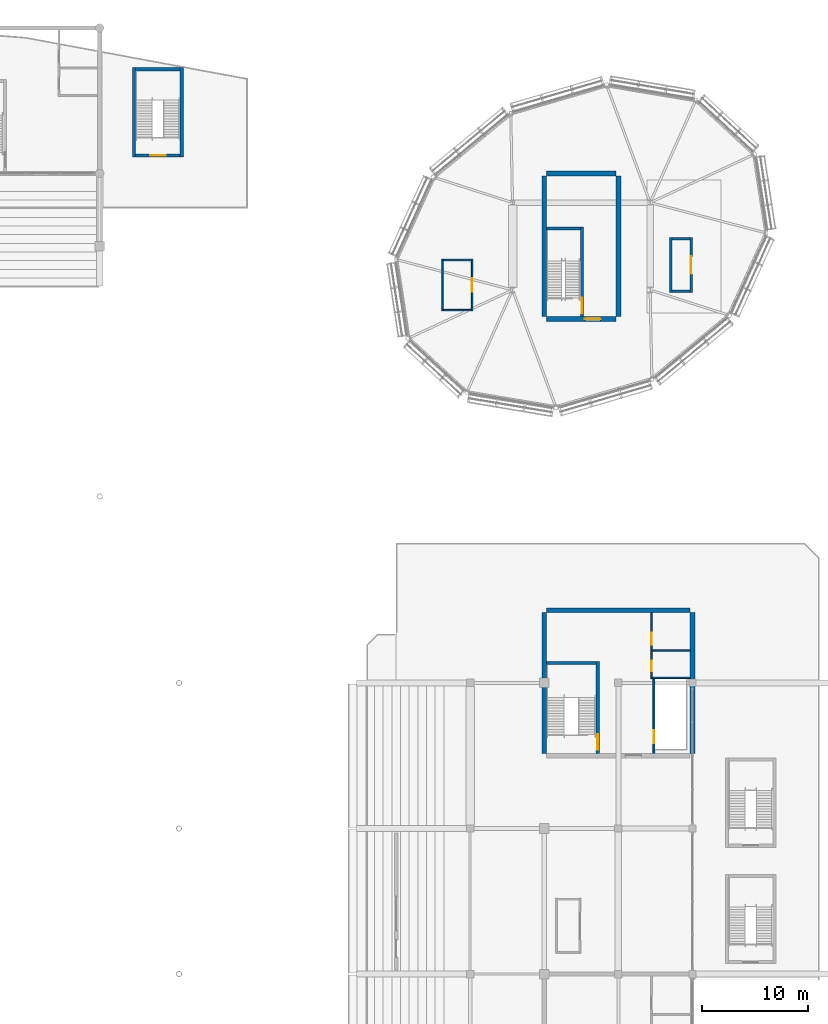
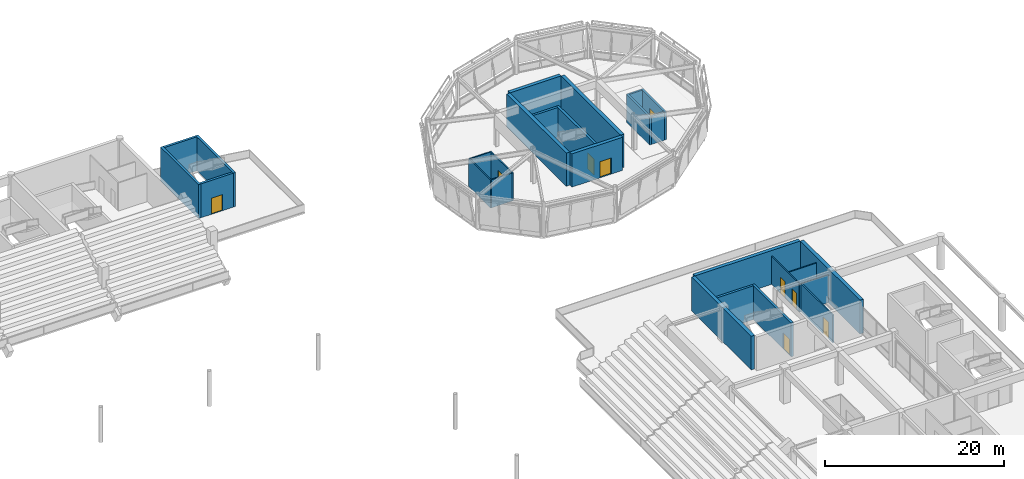
# One storey, part 77 of 94: 27 walls, 9 doors, 9 openings.
"""IFC4 building model written with IfcOpenShell, lengths in metres."""

from ifc_helpers import new_model, si_unit, direction, frame, frame_2d, origin, place, context, subcontext, project, spatial, rectangle, extrude, material, layer, layer_set, type_object, element, fill, save


model = new_model("IFC4")

# Units and contexts
model_context = context("Model", 3, precision=1e-05, world=origin(), true_north=direction((0.0, 1.0)))
body_context = subcontext(model_context, "Body", "Model", "MODEL_VIEW")
ifc_project = project(units=[si_unit("LENGTHUNIT", "METRE"), si_unit("AREAUNIT", "SQUARE_METRE"), si_unit("VOLUMEUNIT", "CUBIC_METRE"), si_unit("PLANEANGLEUNIT", "RADIAN"), si_unit("MASSUNIT", "GRAM", prefix="KILO")], contexts=[model_context])

# Site, building, storey
site_placement = place(None, origin())
site = spatial("IfcSite", under=ifc_project, at=site_placement, CompositionType="ELEMENT")
building_placement = place(site_placement, origin())
building = spatial("IfcBuilding", under=site, at=building_placement, Name="Linyun Crest Stadium", CompositionType="ELEMENT")
storey_placement = place(building_placement, frame((0.0, 0.0, 16.199951171875)))
storey = spatial("IfcBuildingStorey", under=building, at=storey_placement, Name="L04", CompositionType="ELEMENT", Elevation=16.199951171875)

# Walls
ifc_material_1 = material(Name="Concrete C50", Category="concrete")
ifc_layer_1 = layer(ifc_material_1, 0.449951171875)
ifc_layer_set_1 = layer_set([ifc_layer_1], Name="Concrete C50")
wall_type_1 = type_object("IfcWallType", Name="CW03", PredefinedType="SHEAR", material=ifc_layer_set_1)
for number, where, z_axis, x_axis, name in (
    (1, (70.0, 36.72509765625, 0.0), (0.0, 0.0, 1.0), (0.0, 1.0, 0.0), "Core shear wall CW03 CORE-E3 L04.1"),
    (2, (84.0, 36.72509765625, 0.0), (0.0, 0.0, 1.0), (0.0, 1.0, 0.0), "Core shear wall CW03 CORE-E3 L04.2"),
):
    element("IfcWall", number, at=place(storey_placement, frame(where, z_axis=z_axis, x_axis=x_axis)), inside=storey, type_object=wall_type_1, Name=name, PredefinedType="SHEAR", context=body_context, shape_type="SweptSolid", body=[
        extrude(rectangle(XDim=13.2998046875, YDim=0.449951171875, at=frame_2d((6.64990234375, 0.0))), origin(), (0.0, 0.0, 1.0), 4.60009765625),
    ])
wall_1_placement = place(storey_placement, frame((70.22509765625, 50.25, 0.0), z_axis=(0.0, 0.0, 1.0), x_axis=(1.0, 0.0, 0.0)))
element("IfcWall", 3, at=wall_1_placement, inside=storey, type_object=wall_type_1, Name="Core shear wall CW03 CORE-E3 L04.4", PredefinedType="SHEAR", context=body_context, shape_type="SweptSolid", body=[
    extrude(rectangle(XDim=13.5498046875, YDim=0.449951171875, at=frame_2d((6.77490234375, 0.0))), origin(), (0.0, 0.0, 1.0), 4.60009765625),
])
for number, where, z_axis, x_axis, name in (
    (4, (70.0, 77.97509765625, 0.0), (0.0, 0.0, 1.0), (0.0, 1.0, 0.0), "Core shear wall CW03 CORE-PNE L04.1"),
    (5, (77.0, 77.97509765625, 0.0), (0.0, 0.0, 1.0), (0.0, 1.0, 0.0), "Core shear wall CW03 CORE-PNE L04.2"),
):
    element("IfcWall", number, at=place(storey_placement, frame(where, z_axis=z_axis, x_axis=x_axis)), inside=storey, type_object=wall_type_1, Name=name, PredefinedType="SHEAR", context=body_context, shape_type="SweptSolid", body=[
        extrude(rectangle(XDim=13.2998046875, YDim=0.449951171875, at=frame_2d((6.64990234375, 0.0))), origin(), (0.0, 0.0, 1.0), 4.52001953125),
    ])

# Wall, opening, door
wall_2_placement = place(storey_placement, frame((70.22509765625, 77.75, 0.0), z_axis=(0.0, 0.0, 1.0), x_axis=(1.0, 0.0, 0.0)))
wall_2 = element("IfcWall", 6, at=wall_2_placement, inside=storey, type_object=wall_type_1, Name="Core shear wall CW03 CORE-PNE L04.3", PredefinedType="SHEAR", context=body_context, shape_type="SweptSolid", body=[
    extrude(rectangle(XDim=6.5498046875, YDim=0.449951171875, at=frame_2d((3.27490234375, 0.0))), origin(), (0.0, 0.0, 1.0), 4.52001953125),
])
opening_1_placement = place(wall_2_placement, frame((3.60302734375, 0.0, 0.0)))
opening_1 = element("IfcOpeningElement", 7, at=opening_1_placement, cuts=wall_2, Name="Opening D-L04-395", PredefinedType="OPENING", context=body_context, shape_type="SweptSolid", body=[
    extrude(rectangle(XDim=1.5, YDim=2.199951171875, at=frame_2d((0.75, 1.10009765625))), frame((0.0, 0.23486328125, 0.0), z_axis=(0.0, -1.0, 0.0), x_axis=(1.0, 0.0, 0.0)), (0.0, 0.0, 1.0), 0.469970703125),
])
ifc_material_2 = material(Name="Galvanized steel Class A fire door", Category="steel")
ifc_layer_2 = layer(ifc_material_2, 0.054931640625)
ifc_layer_set_2 = layer_set([ifc_layer_2], Name="Galvanized steel Class A fire door")
door_type_1 = type_object("IfcDoorType", Name="FD01", OperationType="NOTDEFINED", PredefinedType="DOOR", material=ifc_layer_set_2)
door_1_placement = place(opening_1_placement, origin())
door_1 = element("IfcDoor", 8, at=door_1_placement, inside=storey, type_object=door_type_1, Name="Door D-L04-395", OperationType="SINGLE_SWING_LEFT", OverallHeight=2.199951171875, OverallWidth=1.5, PredefinedType="DOOR", context=body_context, shape_type="SweptSolid", body=[
    extrude(rectangle(XDim=1.5, YDim=2.199951171875, at=frame_2d((0.75, 1.10009765625))), frame((0.0, 0.02490234375, 0.0), z_axis=(0.0, -1.0, 0.0), x_axis=(1.0, 0.0, 0.0)), (0.0, 0.0, 1.0), 0.050048828125),
])
fill(opening_1, door_1)

# Wall
wall_3_placement = place(storey_placement, frame((70.22509765625, 91.5, 0.0), z_axis=(0.0, 0.0, 1.0), x_axis=(1.0, 0.0, 0.0)))
element("IfcWall", 9, at=wall_3_placement, inside=storey, type_object=wall_type_1, Name="Core shear wall CW03 CORE-PNE L04.4", PredefinedType="SHEAR", context=body_context, shape_type="SweptSolid", body=[
    extrude(rectangle(XDim=6.5498046875, YDim=0.449951171875, at=frame_2d((3.27490234375, 0.0))), origin(), (0.0, 0.0, 1.0), 4.52001953125),
])

# Wall, opening, door
ifc_material_3 = material(Name="Autoclaved aerated concrete block fire partition", Category="concrete")
ifc_layer_3 = layer(ifc_material_3, 0.179931640625)
ifc_layer_set_3 = layer_set([ifc_layer_3], Name="Autoclaved aerated concrete block fire partition")
wall_type_2 = type_object("IfcWallType", Name="PW12", PredefinedType="PARTITIONING", material=ifc_layer_set_3)
wall_4_placement = place(storey_placement, frame((80.35009765625, 36.72509765625, 0.0), z_axis=(0.0, 0.0, 1.0), x_axis=(0.0, 1.0, 0.0)))
wall_4 = element("IfcWall", 10, at=wall_4_placement, inside=storey, type_object=wall_type_2, Name="Partition PW12 L04 89", PredefinedType="PARTITIONING", context=body_context, shape_type="SweptSolid", body=[
    extrude(rectangle(XDim=7.054931640625, YDim=0.179931640625, at=frame_2d((3.52734375, 0.0))), origin(), (0.0, 0.0, 1.0), 3.820068359375),
])
opening_2_placement = place(wall_4_placement, frame((0.97509765625, 0.0, 0.0)))
opening_2 = element("IfcOpeningElement", 11, at=opening_2_placement, cuts=wall_4, Name="Opening LD083", PredefinedType="OPENING", context=body_context, shape_type="SweptSolid", body=[
    extrude(rectangle(XDim=1.199951171875, YDim=2.25, at=frame_2d((0.60009765625, 1.125))), frame((0.0, 0.099853515625, 0.0), z_axis=(0.0, -1.0, 0.0), x_axis=(1.0, 0.0, 0.0)), (0.0, 0.0, 1.0), 0.199951171875),
])
ifc_material_4 = material(Name="Brushed stainless sliding lift door")
ifc_layer_4 = layer(ifc_material_4, 0.050048828125)
ifc_layer_set_4 = layer_set([ifc_layer_4], Name="Brushed stainless sliding lift door")
door_type_2 = type_object("IfcDoorType", Name="LD02", OperationType="NOTDEFINED", PredefinedType="DOOR", material=ifc_layer_set_4)
door_2_placement = place(opening_2_placement, origin())
door_2 = element("IfcDoor", 12, at=door_2_placement, inside=storey, type_object=door_type_2, Name="Lift landing door LD083", OperationType="DOUBLE_DOOR_SLIDING", OverallHeight=2.25, OverallWidth=1.199951171875, PredefinedType="DOOR", context=body_context, shape_type="SweptSolid", body=[
    extrude(rectangle(XDim=1.199951171875, YDim=2.25, at=frame_2d((0.60009765625, 1.125))), frame((0.0, 0.02490234375, 0.0), z_axis=(0.0, -1.0, 0.0), x_axis=(1.0, 0.0, 0.0)), (0.0, 0.0, 1.0), 0.050048828125),
])
fill(opening_2, door_2)

ifc_material_5 = material(Name="Steel-stud gypsum corridor fire partition", Category="steel")
ifc_layer_5 = layer(ifc_material_5, 0.14990234375)
ifc_layer_set_5 = layer_set([ifc_layer_5], Name="Steel-stud gypsum corridor fire partition")
wall_type_3 = type_object("IfcWallType", Name="PW14", PredefinedType="PARTITIONING", material=ifc_layer_set_5)
wall_5_placement = place(storey_placement, frame((63.180908203125, 83.404052734375, 0.0), z_axis=(0.0, 0.0, 1.0), x_axis=(0.0, -1.0, 0.0)))
wall_5 = element("IfcWall", 13, at=wall_5_placement, inside=storey, type_object=wall_type_3, Name="Partition PW14 L04 226", PredefinedType="PARTITIONING", context=body_context, shape_type="SweptSolid", body=[
    extrude(rectangle(XDim=4.89013671875, YDim=0.14990234375, at=frame_2d((2.445068359375, 0.0))), origin(), (0.0, 0.0, 1.0), 3.820068359375),
])
opening_3_placement = place(wall_5_placement, frame((1.794921875, 0.0, 0.0)))
opening_3 = element("IfcOpeningElement", 14, at=opening_3_placement, cuts=wall_5, Name="Opening D-L04-489", PredefinedType="OPENING", context=body_context, shape_type="SweptSolid", body=[
    extrude(rectangle(XDim=1.300048828125, YDim=2.300048828125, at=frame_2d((0.64990234375, 1.14990234375))), frame((0.0, 0.0849609375, 0.0), z_axis=(0.0, -1.0, 0.0), x_axis=(1.0, 0.0, 0.0)), (0.0, 0.0, 1.0), 0.169921875),
])
ifc_material_6 = material(Name="High-STC acoustic steel studio door", Category="steel")
ifc_layer_6 = layer(ifc_material_6, 0.06494140625)
ifc_layer_set_6 = layer_set([ifc_layer_6], Name="High-STC acoustic steel studio door")
door_type_3 = type_object("IfcDoorType", Name="ID08", OperationType="NOTDEFINED", PredefinedType="DOOR", material=ifc_layer_set_6)
door_3_placement = place(opening_3_placement, origin())
door_3 = element("IfcDoor", 15, at=door_3_placement, inside=storey, type_object=door_type_3, Name="Door D-L04-489", OperationType="SINGLE_SWING_LEFT", OverallHeight=2.300048828125, OverallWidth=1.300048828125, PredefinedType="DOOR", context=body_context, shape_type="SweptSolid", body=[
    extrude(rectangle(XDim=1.300048828125, YDim=2.300048828125, at=frame_2d((0.64990234375, 1.14990234375))), frame((0.0, 0.02490234375, 0.0), z_axis=(0.0, -1.0, 0.0), x_axis=(1.0, 0.0, 0.0)), (0.0, 0.0, 1.0), 0.050048828125),
])
fill(opening_3, door_3)

# Walls
wall_6_placement = place(storey_placement, frame((60.40087890625, 78.513916015625, 0.0), z_axis=(0.0, 0.0, 1.0), x_axis=(0.0, 1.0, 0.0)))
element("IfcWall", 16, at=wall_6_placement, inside=storey, type_object=wall_type_3, Name="Enclosure partition PW14 L04 394", PredefinedType="PARTITIONING", context=body_context, shape_type="SweptSolid", body=[
    extrude(rectangle(XDim=4.89013671875, YDim=0.14990234375, at=frame_2d((2.445068359375, 0.0))), origin(), (0.0, 0.0, 1.0), 3.820068359375),
])
for number, where, z_axis, x_axis, name in (
    (17, (60.47607421875, 78.589111328125, 0.0), (0.0, 0.0, 1.0), (1.0, 0.0, 0.0), "Enclosure partition PW14 L04 395"),
    (18, (60.47607421875, 83.3291015625, 0.0), (0.0, 0.0, 1.0), (1.0, 0.0, 0.0), "Enclosure partition PW14 L04 396"),
):
    element("IfcWall", number, at=place(storey_placement, frame(where, z_axis=z_axis, x_axis=x_axis)), inside=storey, type_object=wall_type_3, Name=name, PredefinedType="PARTITIONING", context=body_context, shape_type="SweptSolid", body=[
        extrude(rectangle(XDim=2.6298828125, YDim=0.14990234375, at=frame_2d((1.31494140625, 0.0))), origin(), (0.0, 0.0, 1.0), 3.820068359375),
    ])

# Wall, openings, doors
ifc_material_7 = material(Name="Moisture-resistant ceramic-tiled wet-room wall")
ifc_layer_7 = layer(ifc_material_7, 0.139892578125)
ifc_layer_set_7 = layer_set([ifc_layer_7], Name="Moisture-resistant ceramic-tiled wet-room wall")
wall_type_4 = type_object("IfcWallType", Name="PW15", PredefinedType="PARTITIONING", material=ifc_layer_set_7)
wall_7_placement = place(storey_placement, frame((80.14990234375, 43.919921875, 0.0), z_axis=(0.0, 0.0, 1.0), x_axis=(0.0, 1.0, 0.0)))
wall_7 = element("IfcWall", 19, at=wall_7_placement, inside=storey, type_object=wall_type_4, Name="Partition PW15 L04 90", PredefinedType="PARTITIONING", context=body_context, shape_type="SweptSolid", body=[
    extrude(rectangle(XDim=6.10498046875, YDim=0.139892578125, at=frame_2d((3.052490234375, 0.0))), origin(), (0.0, 0.0, 1.0), 3.820068359375),
])
opening_4_placement = place(wall_7_placement, frame((0.580078125, 0.0, 0.0)))
opening_4 = element("IfcOpeningElement", 20, at=opening_4_placement, cuts=wall_7, Name="Opening D-L04-249", PredefinedType="OPENING", context=body_context, shape_type="SweptSolid", body=[
    extrude(rectangle(XDim=0.949951171875, YDim=2.14990234375, at=frame_2d((0.47509765625, 1.074951171875))), frame((0.0, 0.079833984375, 0.0), z_axis=(0.0, -1.0, 0.0), x_axis=(1.0, 0.0, 0.0)), (0.0, 0.0, 1.0), 0.159912109375),
])
opening_5_placement = place(wall_7_placement, frame((3.080078125, 0.0, 0.0)))
opening_5 = element("IfcOpeningElement", 21, at=opening_5_placement, cuts=wall_7, Name="Opening D-L04-250", PredefinedType="OPENING", context=body_context, shape_type="SweptSolid", body=[
    extrude(rectangle(XDim=1.10009765625, YDim=2.14990234375, at=frame_2d((0.550048828125, 1.074951171875))), frame((0.0, 0.079833984375, 0.0), z_axis=(0.0, -1.0, 0.0), x_axis=(1.0, 0.0, 0.0)), (0.0, 0.0, 1.0), 0.159912109375),
])
ifc_material_8 = material(Name="Moisture-resistant laminate leaf")
ifc_layer_8 = layer(ifc_material_8, 0.044921875)
ifc_layer_set_8 = layer_set([ifc_layer_8], Name="Moisture-resistant laminate leaf")
door_type_4 = type_object("IfcDoorType", Name="ID02", OperationType="NOTDEFINED", PredefinedType="DOOR", material=ifc_layer_set_8)
door_4_placement = place(opening_4_placement, origin())
door_4 = element("IfcDoor", 22, at=door_4_placement, inside=storey, type_object=door_type_4, Name="Door D-L04-249", OperationType="SINGLE_SWING_LEFT", OverallHeight=2.14990234375, OverallWidth=0.949951171875, PredefinedType="DOOR", context=body_context, shape_type="SweptSolid", body=[
    extrude(rectangle(XDim=0.949951171875, YDim=2.14990234375, at=frame_2d((0.47509765625, 1.074951171875))), frame((0.0, 0.02490234375, 0.0), z_axis=(0.0, -1.0, 0.0), x_axis=(1.0, 0.0, 0.0)), (0.0, 0.0, 1.0), 0.050048828125),
])
fill(opening_4, door_4)
ifc_material_9 = material(Name="Moisture-resistant laminate leaf")
ifc_layer_9 = layer(ifc_material_9, 0.044921875)
ifc_layer_set_9 = layer_set([ifc_layer_9], Name="Moisture-resistant laminate leaf")
door_type_5 = type_object("IfcDoorType", Name="ID03", OperationType="NOTDEFINED", PredefinedType="DOOR", material=ifc_layer_set_9)
door_5_placement = place(opening_5_placement, origin())
door_5 = element("IfcDoor", 23, at=door_5_placement, inside=storey, type_object=door_type_5, Name="Door D-L04-250", OperationType="SINGLE_SWING_RIGHT", OverallHeight=2.14990234375, OverallWidth=1.10009765625, PredefinedType="DOOR", context=body_context, shape_type="SweptSolid", body=[
    extrude(rectangle(XDim=1.10009765625, YDim=2.14990234375, at=frame_2d((0.550048828125, 1.074951171875))), frame((0.0, 0.02490234375, 0.0), z_axis=(0.0, -1.0, 0.0), x_axis=(1.0, 0.0, 0.0)), (0.0, 0.0, 1.0), 0.050048828125),
])
fill(opening_5, door_5)

# Walls
wall_8_placement = place(storey_placement, frame((80.080078125, 43.85009765625, 0.0), z_axis=(0.0, 0.0, 1.0), x_axis=(1.0, 0.0, 0.0)))
element("IfcWall", 24, at=wall_8_placement, inside=storey, type_object=wall_type_4, Name="Enclosure partition PW15 L04 75", PredefinedType="PARTITIONING", context=body_context, shape_type="SweptSolid", body=[
    extrude(rectangle(XDim=3.69482421875, YDim=0.139892578125, at=frame_2d((1.847412109375, 0.0))), origin(), (0.0, 0.0, 1.0), 3.820068359375),
])
wall_9_placement = place(storey_placement, frame((80.219970703125, 46.449951171875, 0.0), z_axis=(0.0, 0.0, 1.0), x_axis=(1.0, 0.0, 0.0)))
element("IfcWall", 25, at=wall_9_placement, inside=storey, type_object=wall_type_4, Name="Enclosure partition PW15 L04 76", PredefinedType="PARTITIONING", context=body_context, shape_type="SweptSolid", body=[
    extrude(rectangle(XDim=3.554931640625, YDim=0.139892578125, at=frame_2d((1.77734375, 0.0))), origin(), (0.0, 0.0, 1.0), 3.820068359375),
])

# Wall, opening, door
ifc_material_10 = material(Name="Acoustic broadcast studio double-leaf partition")
ifc_layer_10 = layer(ifc_material_10, 0.219970703125)
ifc_layer_set_10 = layer_set([ifc_layer_10], Name="Acoustic broadcast studio double-leaf partition")
wall_type_5 = type_object("IfcWallType", Name="PW16", PredefinedType="PARTITIONING", material=ifc_layer_set_10)
wall_10_placement = place(storey_placement, frame((83.8720703125, 85.43505859375, 0.0), z_axis=(0.0, 0.0, 1.0), x_axis=(0.0, -1.0, 0.0)))
wall_10 = element("IfcWall", 26, at=wall_10_placement, inside=storey, type_object=wall_type_5, Name="Partition PW16 L04 227", PredefinedType="PARTITIONING", context=body_context, shape_type="SweptSolid", body=[
    extrude(rectangle(XDim=5.18017578125, YDim=0.219970703125, at=frame_2d((2.590087890625, 0.0))), origin(), (0.0, 0.0, 1.0), 3.820068359375),
])
opening_6_placement = place(wall_10_placement, frame((1.764892578125, 0.0, 0.0)))
opening_6 = element("IfcOpeningElement", 27, at=opening_6_placement, cuts=wall_10, Name="Opening D-L04-490", PredefinedType="OPENING", context=body_context, shape_type="SweptSolid", body=[
    extrude(rectangle(XDim=1.64990234375, YDim=2.300048828125, at=frame_2d((0.824951171875, 1.14990234375))), frame((0.0, 0.119873046875, 0.0), z_axis=(0.0, -1.0, 0.0), x_axis=(1.0, 0.0, 0.0)), (0.0, 0.0, 1.0), 0.239990234375),
])
ifc_material_11 = material(Name="Double-leaf acoustic timber door", Category="wood")
ifc_layer_11 = layer(ifc_material_11, 0.050048828125)
ifc_layer_set_11 = layer_set([ifc_layer_11], Name="Double-leaf acoustic timber door")
door_type_6 = type_object("IfcDoorType", Name="ID09", OperationType="NOTDEFINED", PredefinedType="DOOR", material=ifc_layer_set_11)
door_6_placement = place(opening_6_placement, origin())
door_6 = element("IfcDoor", 28, at=door_6_placement, inside=storey, type_object=door_type_6, Name="Door D-L04-490", OperationType="SINGLE_SWING_RIGHT", OverallHeight=2.300048828125, OverallWidth=1.64990234375, PredefinedType="DOOR", context=body_context, shape_type="SweptSolid", body=[
    extrude(rectangle(XDim=1.64990234375, YDim=2.300048828125, at=frame_2d((0.824951171875, 1.14990234375))), frame((0.0, 0.02490234375, 0.0), z_axis=(0.0, -1.0, 0.0), x_axis=(1.0, 0.0, 0.0)), (0.0, 0.0, 1.0), 0.050048828125),
])
fill(opening_6, door_6)

# Walls
wall_11_placement = place(storey_placement, frame((81.931884765625, 80.2548828125, 0.0), z_axis=(0.0, 0.0, 1.0), x_axis=(0.0, 1.0, 0.0)))
element("IfcWall", 29, at=wall_11_placement, inside=storey, type_object=wall_type_5, Name="Enclosure partition PW16 L04 397", PredefinedType="PARTITIONING", context=body_context, shape_type="SweptSolid", body=[
    extrude(rectangle(XDim=5.18017578125, YDim=0.219970703125, at=frame_2d((2.590087890625, 0.0))), origin(), (0.0, 0.0, 1.0), 3.820068359375),
])
for number, where, z_axis, x_axis, name in (
    (30, (82.0419921875, 80.364990234375, 0.0), (0.0, 0.0, 1.0), (1.0, 0.0, 0.0), "Enclosure partition PW16 L04 398"),
    (31, (82.0419921875, 85.324951171875, 0.0), (0.0, 0.0, 1.0), (1.0, 0.0, 0.0), "Enclosure partition PW16 L04 399"),
):
    element("IfcWall", number, at=place(storey_placement, frame(where, z_axis=z_axis, x_axis=x_axis)), inside=storey, type_object=wall_type_5, Name=name, PredefinedType="PARTITIONING", context=body_context, shape_type="SweptSolid", body=[
        extrude(rectangle(XDim=1.719970703125, YDim=0.219970703125, at=frame_2d((0.85986328125, 0.0))), origin(), (0.0, 0.0, 1.0), 3.820068359375),
    ])

# Wall, opening, door
ifc_material_12 = material(Name="Concrete C50", Category="concrete")
ifc_layer_12 = layer(ifc_material_12, 0.300048828125)
ifc_layer_set_12 = layer_set([ifc_layer_12], Name="Concrete C50")
wall_type_6 = type_object("IfcWallType", Name="SW01", PredefinedType="SHEAR", material=ifc_layer_set_12)
wall_12_placement = place(storey_placement, frame((75.050048828125, 36.72509765625, 0.0), z_axis=(0.0, 0.0, 1.0), x_axis=(0.0, 1.0, 0.0)))
wall_12 = element("IfcWall", 32, at=wall_12_placement, inside=storey, type_object=wall_type_6, Name="Core stair east bearing wall SW01 6 L04", PredefinedType="SHEAR", context=body_context, shape_type="SweptSolid", body=[
    extrude(rectangle(XDim=8.6748046875, YDim=0.300048828125, at=frame_2d((4.33740234375, 0.0))), origin(), (0.0, 0.0, 1.0), 4.60009765625),
])
opening_7_placement = place(wall_12_placement, frame((0.344970703125, 0.0, 0.0)))
opening_7 = element("IfcOpeningElement", 33, at=opening_7_placement, cuts=wall_12, Name="Opening D-L04-247", PredefinedType="OPENING", context=body_context, shape_type="SweptSolid", body=[
    extrude(rectangle(XDim=1.449951171875, YDim=2.199951171875, at=frame_2d((0.72509765625, 1.10009765625))), frame((0.0, 0.159912109375, 0.0), z_axis=(0.0, -1.0, 0.0), x_axis=(1.0, 0.0, 0.0)), (0.0, 0.0, 1.0), 0.320068359375),
])
ifc_material_13 = material(Name="Galvanized steel Class A fire door", Category="steel")
ifc_layer_13 = layer(ifc_material_13, 0.054931640625)
ifc_layer_set_13 = layer_set([ifc_layer_13], Name="Galvanized steel Class A fire door")
door_type_7 = type_object("IfcDoorType", Name="FD02", OperationType="NOTDEFINED", PredefinedType="DOOR", material=ifc_layer_set_13)
door_7_placement = place(opening_7_placement, origin())
door_7 = element("IfcDoor", 34, at=door_7_placement, inside=storey, type_object=door_type_7, Name="Door D-L04-247", OperationType="SINGLE_SWING_LEFT", OverallHeight=2.199951171875, OverallWidth=1.449951171875, PredefinedType="DOOR", context=body_context, shape_type="SweptSolid", body=[
    extrude(rectangle(XDim=1.449951171875, YDim=2.199951171875, at=frame_2d((0.72509765625, 1.10009765625))), frame((0.0, 0.02490234375, 0.0), z_axis=(0.0, -1.0, 0.0), x_axis=(1.0, 0.0, 0.0)), (0.0, 0.0, 1.0), 0.050048828125),
])
fill(opening_7, door_7)

wall_13_placement = place(storey_placement, frame((73.550048828125, 77.97509765625, 0.0), z_axis=(0.0, 0.0, 1.0), x_axis=(0.0, 1.0, 0.0)))
wall_13 = element("IfcWall", 35, at=wall_13_placement, inside=storey, type_object=wall_type_6, Name="Core stair east bearing wall SW01 12 L04", PredefinedType="SHEAR", context=body_context, shape_type="SweptSolid", body=[
    extrude(rectangle(XDim=8.474853515625, YDim=0.300048828125, at=frame_2d((4.2373046875, 0.0))), origin(), (0.0, 0.0, 1.0), 4.52001953125),
])
opening_8_placement = place(wall_13_placement, frame((0.344970703125, 0.0, 0.0)))
opening_8 = element("IfcOpeningElement", 36, at=opening_8_placement, cuts=wall_13, Name="Opening D-L04-396", PredefinedType="OPENING", context=body_context, shape_type="SweptSolid", body=[
    extrude(rectangle(XDim=1.449951171875, YDim=2.199951171875, at=frame_2d((0.72509765625, 1.10009765625))), frame((0.0, 0.159912109375, 0.0), z_axis=(0.0, -1.0, 0.0), x_axis=(1.0, 0.0, 0.0)), (0.0, 0.0, 1.0), 0.320068359375),
])
door_8_placement = place(opening_8_placement, origin())
door_8 = element("IfcDoor", 37, at=door_8_placement, inside=storey, type_object=door_type_7, Name="Door D-L04-396", OperationType="SINGLE_SWING_RIGHT", OverallHeight=2.199951171875, OverallWidth=1.449951171875, PredefinedType="DOOR", context=body_context, shape_type="SweptSolid", body=[
    extrude(rectangle(XDim=1.449951171875, YDim=2.199951171875, at=frame_2d((0.72509765625, 1.10009765625))), frame((0.0, 0.02490234375, 0.0), z_axis=(0.0, -1.0, 0.0), x_axis=(1.0, 0.0, 0.0)), (0.0, 0.0, 1.0), 0.050048828125),
])
fill(opening_8, door_8)

# Walls
wall_14_placement = place(storey_placement, frame((70.22509765625, 45.25, 0.0), z_axis=(0.0, 0.0, 1.0), x_axis=(1.0, 0.0, 0.0)))
element("IfcWall", 38, at=wall_14_placement, inside=storey, type_object=wall_type_6, Name="Core stair bearing wall SW01 6 L04", PredefinedType="SHEAR", context=body_context, shape_type="SweptSolid", body=[
    extrude(rectangle(XDim=4.6748046875, YDim=0.300048828125, at=frame_2d((2.33740234375, 0.0))), origin(), (0.0, 0.0, 1.0), 4.60009765625),
])
wall_15_placement = place(storey_placement, frame((70.22509765625, 86.300048828125, 0.0), z_axis=(0.0, 0.0, 1.0), x_axis=(1.0, 0.0, 0.0)))
element("IfcWall", 39, at=wall_15_placement, inside=storey, type_object=wall_type_6, Name="Core stair bearing wall SW01 12 L04", PredefinedType="SHEAR", context=body_context, shape_type="SweptSolid", body=[
    extrude(rectangle(XDim=3.1748046875, YDim=0.300048828125, at=frame_2d((1.58740234375, 0.0))), origin(), (0.0, 0.0, 1.0), 4.52001953125),
])

# Wall, opening, door
wall_16_placement = place(storey_placement, frame((31.39990234375, 93.199951171875, 0.0), z_axis=(0.0, 0.0, 1.0), x_axis=(1.0, 0.0, 0.0)))
wall_16 = element("IfcWall", 40, at=wall_16_placement, inside=storey, type_object=wall_type_6, Name="Stair shaft wall SW01 STR-26 L04 S", PredefinedType="SHEAR", context=body_context, shape_type="SweptSolid", body=[
    extrude(rectangle(XDim=4.2001953125, YDim=0.300048828125, at=frame_2d((2.10009765625, 0.0))), origin(), (0.0, 0.0, 1.0), 4.6201171875),
])
opening_9_placement = place(wall_16_placement, frame((1.375, 0.0, 0.0)))
opening_9 = element("IfcOpeningElement", 41, at=opening_9_placement, cuts=wall_16, Name="Opening D-L04-614", PredefinedType="OPENING", context=body_context, shape_type="SweptSolid", body=[
    extrude(rectangle(XDim=1.449951171875, YDim=2.199951171875, at=frame_2d((0.72509765625, 1.10009765625))), frame((0.0, 0.159912109375, 0.0), z_axis=(0.0, -1.0, 0.0), x_axis=(1.0, 0.0, 0.0)), (0.0, 0.0, 1.0), 0.320068359375),
])
door_9_placement = place(opening_9_placement, origin())
door_9 = element("IfcDoor", 42, at=door_9_placement, inside=storey, type_object=door_type_7, Name="Door D-L04-614", OperationType="SINGLE_SWING_RIGHT", OverallHeight=2.199951171875, OverallWidth=1.449951171875, PredefinedType="DOOR", context=body_context, shape_type="SweptSolid", body=[
    extrude(rectangle(XDim=1.449951171875, YDim=2.199951171875, at=frame_2d((0.72509765625, 1.10009765625))), frame((0.0, 0.02490234375, 0.0), z_axis=(0.0, -1.0, 0.0), x_axis=(1.0, 0.0, 0.0)), (0.0, 0.0, 1.0), 0.050048828125),
])
fill(opening_9, door_9)

# Walls
wall_17_placement = place(storey_placement, frame((31.39990234375, 101.35009765625, 0.0), z_axis=(0.0, 0.0, 1.0), x_axis=(1.0, 0.0, 0.0)))
element("IfcWall", 43, at=wall_17_placement, inside=storey, type_object=wall_type_6, Name="Stair shaft wall SW01 STR-26 L04 N", PredefinedType="SHEAR", context=body_context, shape_type="SweptSolid", body=[
    extrude(rectangle(XDim=4.2001953125, YDim=0.300048828125, at=frame_2d((2.10009765625, 0.0))), origin(), (0.0, 0.0, 1.0), 4.6201171875),
])
for number, where, z_axis, x_axis, name in (
    (44, (31.25, 93.050048828125, 0.0), (0.0, 0.0, 1.0), (0.0, 1.0, 0.0), "Stair shaft wall SW01 STR-26 L04 W"),
    (45, (35.75, 93.050048828125, 0.0), (0.0, 0.0, 1.0), (0.0, 1.0, 0.0), "Stair shaft wall SW01 STR-26 L04 E"),
):
    element("IfcWall", number, at=place(storey_placement, frame(where, z_axis=z_axis, x_axis=x_axis)), inside=storey, type_object=wall_type_6, Name=name, PredefinedType="SHEAR", context=body_context, shape_type="SweptSolid", body=[
        extrude(rectangle(XDim=8.449951171875, YDim=0.300048828125, at=frame_2d((4.22509765625, 0.0))), origin(), (0.0, 0.0, 1.0), 4.6201171875),
    ])

save(model, "model.ifc")
